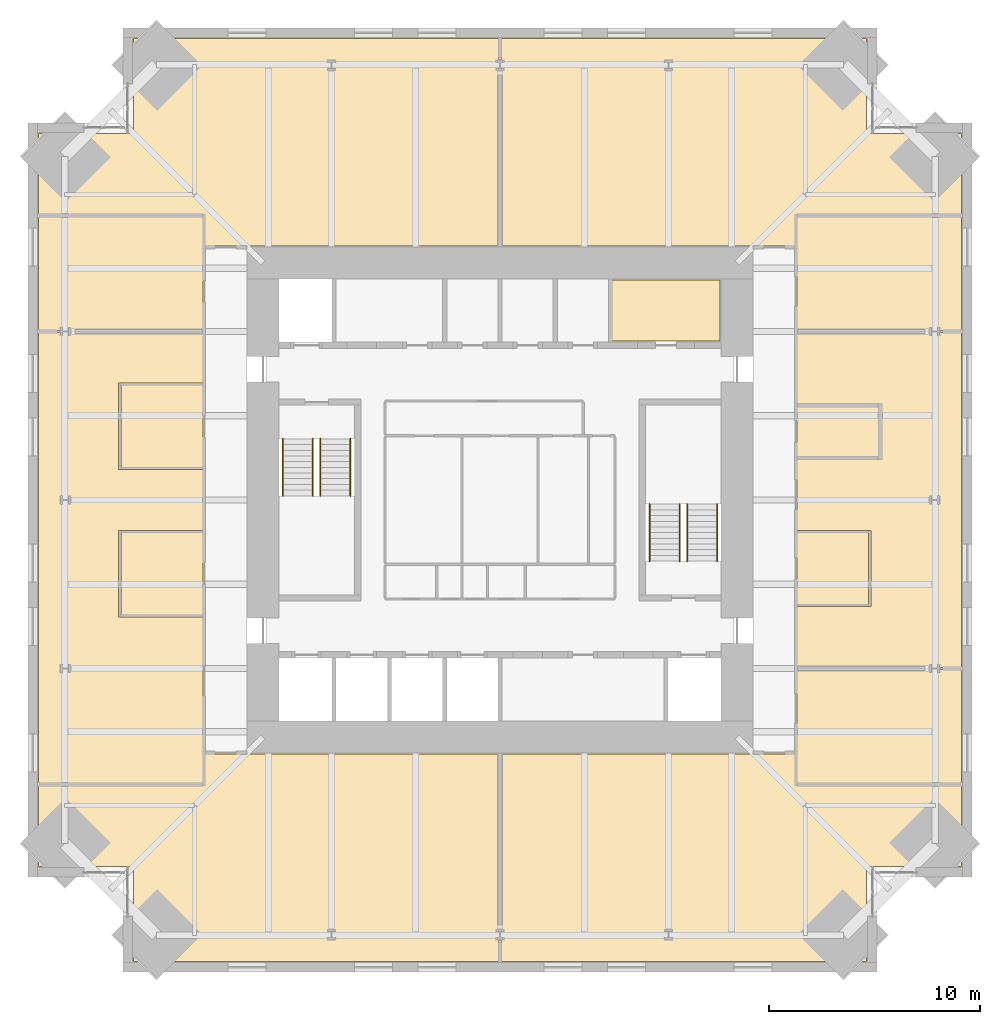
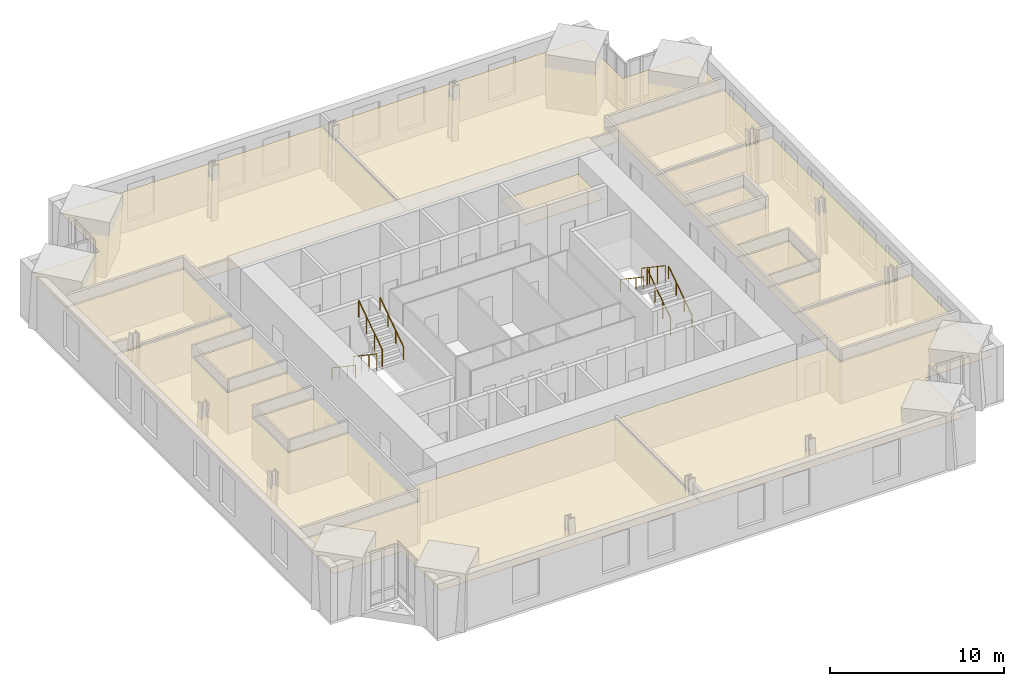
# One storey, part 17 of 17: 14 coverings, 8 railings.
"""IFC4 building model written with IfcOpenShell, lengths in metres."""

from ifc_helpers import new_model, si_unit, direction, frame, origin, origin_2d, place, context, subcontext, project, spatial, polyline, circle, outline, extrude, material, layer, layer_set, type_object, element, save


model = new_model("IFC4")

# Units and contexts
model_context = context("Model", 3, precision=1e-05, world=origin(), true_north=direction((0.0, 1.0)))
body_context = subcontext(model_context, "Body", "Model", "MODEL_VIEW")
ifc_project = project(units=[si_unit("LENGTHUNIT", "METRE"), si_unit("AREAUNIT", "SQUARE_METRE"), si_unit("VOLUMEUNIT", "CUBIC_METRE"), si_unit("PLANEANGLEUNIT", "RADIAN"), si_unit("MASSUNIT", "GRAM", prefix="KILO")], contexts=[model_context])

# Site, building, storey
site_placement = place(None, origin())
site = spatial("IfcSite", under=ifc_project, at=site_placement, CompositionType="ELEMENT")
building_placement = place(site_placement, origin())
building = spatial("IfcBuilding", under=site, at=building_placement, Name="Peilmerk Tower", CompositionType="ELEMENT")
storey_placement = place(building_placement, frame((0.0, 0.0, 253.800048828125)))
storey = spatial("IfcBuildingStorey", under=building, at=storey_placement, Name="L56", CompositionType="ELEMENT", Elevation=253.800048828125)

# Coverings
ifc_material_1 = material(Name="Mineral fibre ceiling tiles", Category="mineral")
ifc_layer = layer(ifc_material_1, 0.02490234375)
ifc_layer_set = layer_set([ifc_layer], Name="Mineral fibre ceiling tiles")
covering_type = type_object("IfcCoveringType", Name="CL1 25 suspended ceiling", PredefinedType="CEILING", material=ifc_layer_set)
covering_1_placement = place(storey_placement, frame((0.0, 0.0, 2.905029296875)))
element("IfcCovering", 1, at=covering_1_placement, inside=storey, type_object=covering_type, Name="Suspended ceiling Tenant suite", PredefinedType="CEILING", context=body_context, shape_type="SweptSolid", body=[
    extrude(outline(polyline([(-21.89990234375, 17.39990234375), (-21.89990234375, 13.550048828125), (-14.0, 13.550048828125), (-14.0, 12.050048828125), (-0.050048828125, 12.050048828125), (-0.050048828125, 21.89990234375), (-17.39990234375, 21.89990234375), (-17.39990234375, 17.39990234375), (-21.89990234375, 17.39990234375)])), origin(), (0.0, 0.0, 1.0), 0.02490234375),
])
covering_2_placement = place(storey_placement, frame((0.0, 0.0, 2.905029296875)))
element("IfcCovering", 2, at=covering_2_placement, inside=storey, type_object=covering_type, Name="Suspended ceiling Tenant suite", PredefinedType="CEILING", context=body_context, shape_type="SweptSolid", body=[
    extrude(outline(polyline([(17.39990234375, 21.89990234375), (0.050048828125, 21.89990234375), (0.050048828125, 12.050048828125), (14.0, 12.050048828125), (14.0, 13.550048828125), (21.89990234375, 13.550048828125), (21.89990234375, 17.39990234375), (17.39990234375, 17.39990234375), (17.39990234375, 21.89990234375)])), origin(), (0.0, 0.0, 1.0), 0.02490234375),
])
covering_3_placement = place(storey_placement, frame((0.0, 0.0, 2.905029296875)))
element("IfcCovering", 3, at=covering_3_placement, inside=storey, type_object=covering_type, Name="Suspended ceiling Tenant suite", PredefinedType="CEILING", context=body_context, shape_type="SweptSolid", body=[
    extrude(outline(polyline([(-17.39990234375, -21.89990234375), (-0.050048828125, -21.89990234375), (-0.050048828125, -12.050048828125), (-14.0, -12.050048828125), (-14.0, -13.550048828125), (-21.89990234375, -13.550048828125), (-21.89990234375, -17.39990234375), (-17.39990234375, -17.39990234375), (-17.39990234375, -21.89990234375)])), origin(), (0.0, 0.0, 1.0), 0.02490234375),
])
covering_4_placement = place(storey_placement, frame((0.0, 0.0, 2.905029296875)))
element("IfcCovering", 4, at=covering_4_placement, inside=storey, type_object=covering_type, Name="Suspended ceiling Tenant suite", PredefinedType="CEILING", context=body_context, shape_type="SweptSolid", body=[
    extrude(outline(polyline([(0.050048828125, -21.89990234375), (17.39990234375, -21.89990234375), (17.39990234375, -17.39990234375), (21.89990234375, -17.39990234375), (21.89990234375, -13.550048828125), (14.0, -13.550048828125), (14.0, -12.050048828125), (0.050048828125, -12.050048828125), (0.050048828125, -21.89990234375)])), origin(), (0.0, 0.0, 1.0), 0.02490234375),
])
covering_5_placement = place(storey_placement, frame((0.0, 0.0, 2.905029296875)))
element("IfcCovering", 5, at=covering_5_placement, inside=storey, type_object=covering_type, Name="Suspended ceiling Tenant suite", PredefinedType="CEILING", context=body_context, shape_type="SweptSolid", body=[
    extrude(outline(polyline([(21.89990234375, -13.449951171875), (21.89990234375, -8.050048828125), (14.10009765625, -8.050048828125), (14.10009765625, -13.449951171875), (21.89990234375, -13.449951171875)])), origin(), (0.0, 0.0, 1.0), 0.02490234375),
])
covering_6_placement = place(storey_placement, frame((0.0, 0.0, 2.905029296875)))
element("IfcCovering", 6, at=covering_6_placement, inside=storey, type_object=covering_type, Name="Suspended ceiling Tenant suite", PredefinedType="CEILING", context=body_context, shape_type="SweptSolid", body=[
    extrude(outline(polyline([(14.10009765625, -7.949951171875), (21.89990234375, -7.949951171875), (21.89990234375, 7.949951171875), (14.10009765625, 7.949951171875), (14.10009765625, 4.550048828125), (18.10009765625, 4.550048828125), (18.10009765625, 1.949951171875), (14.10009765625, 1.949951171875), (14.10009765625, -1.449951171875), (17.60009765625, -1.449951171875), (17.60009765625, -5.050048828125), (14.10009765625, -5.050048828125), (14.10009765625, -7.949951171875)])), origin(), (0.0, 0.0, 1.0), 0.02490234375),
])
covering_7_placement = place(storey_placement, frame((0.0, 0.0, 2.905029296875)))
element("IfcCovering", 7, at=covering_7_placement, inside=storey, type_object=covering_type, Name="Suspended ceiling Tenant suite", PredefinedType="CEILING", context=body_context, shape_type="SweptSolid", body=[
    extrude(outline(polyline([(21.89990234375, 8.050048828125), (21.89990234375, 13.449951171875), (14.10009765625, 13.449951171875), (14.10009765625, 8.050048828125), (21.89990234375, 8.050048828125)])), origin(), (0.0, 0.0, 1.0), 0.02490234375),
])
covering_8_placement = place(storey_placement, frame((0.0, 0.0, 2.905029296875)))
element("IfcCovering", 8, at=covering_8_placement, inside=storey, type_object=covering_type, Name="Suspended ceiling Pantry", PredefinedType="CEILING", context=body_context, shape_type="SweptSolid", body=[
    extrude(outline(polyline([(17.5, -4.949951171875), (17.5, -1.550048828125), (14.10009765625, -1.550048828125), (14.10009765625, -4.949951171875), (17.5, -4.949951171875)])), origin(), (0.0, 0.0, 1.0), 0.02490234375),
])
covering_9_placement = place(storey_placement, frame((0.0, 0.0, 2.905029296875)))
element("IfcCovering", 9, at=covering_9_placement, inside=storey, type_object=covering_type, Name="Suspended ceiling Print room", PredefinedType="CEILING", context=body_context, shape_type="SweptSolid", body=[
    extrude(outline(polyline([(18.0, 2.050048828125), (18.0, 4.449951171875), (14.10009765625, 4.449951171875), (14.10009765625, 2.050048828125), (18.0, 2.050048828125)])), origin(), (0.0, 0.0, 1.0), 0.02490234375),
])
covering_10_placement = place(storey_placement, frame((0.0, 0.0, 2.905029296875)))
element("IfcCovering", 10, at=covering_10_placement, inside=storey, type_object=covering_type, Name="Suspended ceiling Tenant suite", PredefinedType="CEILING", context=body_context, shape_type="SweptSolid", body=[
    extrude(outline(polyline([(-14.10009765625, 7.949951171875), (-21.89990234375, 7.949951171875), (-21.89990234375, -13.449951171875), (-14.10009765625, -13.449951171875), (-14.10009765625, -5.550048828125), (-18.10009765625, -5.550048828125), (-18.10009765625, -1.449951171875), (-14.10009765625, -1.449951171875), (-14.10009765625, 1.449951171875), (-18.10009765625, 1.449951171875), (-18.10009765625, 5.550048828125), (-14.10009765625, 5.550048828125), (-14.10009765625, 7.949951171875)])), origin(), (0.0, 0.0, 1.0), 0.02490234375),
])
covering_11_placement = place(storey_placement, frame((0.0, 0.0, 2.905029296875)))
element("IfcCovering", 11, at=covering_11_placement, inside=storey, type_object=covering_type, Name="Suspended ceiling Office", PredefinedType="CEILING", context=body_context, shape_type="SweptSolid", body=[
    extrude(outline(polyline([(-21.89990234375, 13.449951171875), (-21.89990234375, 8.050048828125), (-14.10009765625, 8.050048828125), (-14.10009765625, 13.449951171875), (-21.89990234375, 13.449951171875)])), origin(), (0.0, 0.0, 1.0), 0.02490234375),
])
covering_12_placement = place(storey_placement, frame((0.0, 0.0, 2.905029296875)))
element("IfcCovering", 12, at=covering_12_placement, inside=storey, type_object=covering_type, Name="Suspended ceiling Meeting room", PredefinedType="CEILING", context=body_context, shape_type="SweptSolid", body=[
    extrude(outline(polyline([(-14.10009765625, -5.449951171875), (-14.10009765625, -1.550048828125), (-18.0, -1.550048828125), (-18.0, -5.449951171875), (-14.10009765625, -5.449951171875)])), origin(), (0.0, 0.0, 1.0), 0.02490234375),
])
covering_13_placement = place(storey_placement, frame((0.0, 0.0, 2.905029296875)))
element("IfcCovering", 13, at=covering_13_placement, inside=storey, type_object=covering_type, Name="Suspended ceiling Meeting room", PredefinedType="CEILING", context=body_context, shape_type="SweptSolid", body=[
    extrude(outline(polyline([(-14.10009765625, 1.550048828125), (-14.10009765625, 5.449951171875), (-18.0, 5.449951171875), (-18.0, 1.550048828125), (-14.10009765625, 1.550048828125)])), origin(), (0.0, 0.0, 1.0), 0.02490234375),
])
covering_14_placement = place(storey_placement, frame((0.0, 0.0, 2.824951171875)))
element("IfcCovering", 14, at=covering_14_placement, inside=storey, type_object=covering_type, Name="Suspended ceiling Pantry", PredefinedType="CEILING", context=body_context, shape_type="SweptSolid", body=[
    extrude(outline(polyline([(10.448974609375, 7.551025390625), (10.448974609375, 10.448974609375), (5.301025390625, 10.448974609375), (5.301025390625, 7.551025390625), (10.448974609375, 7.551025390625)])), origin(), (0.0, 0.0, 1.0), 0.02490234375),
])

# Railings
ifc_material_2 = material(Name="Steel flat bar balustrade", Category="steel")
railing_type_1 = type_object("IfcRailingType", Name="GR1 1200 stair guard", PredefinedType="GUARDRAIL", material=ifc_material_2)
railing_1_placement = place(storey_placement, frame((-8.8798828125, 2.89990234375, 0.181884765625)))
element("IfcRailing", 15, at=railing_1_placement, inside=storey, type_object=railing_type_1, Name="Guard stair 1 L56", PredefinedType="GUARDRAIL", context=body_context, shape_type="SweptSolid", body=[
    extrude(circle(Radius=0.02392578125, at=origin_2d()), frame((0.0, 0.0, 1.17578125), z_axis=(0.0, -0.829468130872, 0.55855404382), x_axis=(1.0, 0.0, 0.0)), (0.0, 0.0, 1.0), 3.255126953125),
    extrude(circle(Radius=0.02099609375, at=origin_2d()), origin(), (0.0, 0.0, 1.0), 1.15185546875),
    extrude(circle(Radius=0.02099609375, at=origin_2d()), frame((0.0, -0.89990234375, 0.60595703125)), (0.0, 0.0, 1.0), 1.15185546875),
    extrude(circle(Radius=0.02099609375, at=origin_2d()), frame((0.0, -1.800048828125, 1.212158203125)), (0.0, 0.0, 1.0), 1.15185546875),
    extrude(circle(Radius=0.02099609375, at=origin_2d()), frame((0.0, -2.699951171875, 1.818115234375)), (0.0, 0.0, 1.0), 1.15185546875),
])
for number, where, name in (
    (16, (-8.52001953125, 0.199951171875, 2.181884765625), "Guard stair 1 L56"),
    (17, (8.8798828125, -2.89990234375, 0.181884765625), "Guard stair 2 L56"),
):
    element("IfcRailing", number, at=place(storey_placement, frame(where)), inside=storey, type_object=railing_type_1, Name=name, PredefinedType="GUARDRAIL", context=body_context, shape_type="SweptSolid", body=[
        extrude(circle(Radius=0.02392578125, at=origin_2d()), frame((0.0, 0.0, 1.17578125), z_axis=(0.0, 0.829468130872, 0.55855404382), x_axis=(-1.0, 0.0, 0.0)), (0.0, 0.0, 1.0), 3.255126953125),
        extrude(circle(Radius=0.02099609375, at=origin_2d()), origin(), (0.0, 0.0, 1.0), 1.15185546875),
        extrude(circle(Radius=0.02099609375, at=origin_2d()), frame((0.0, 0.89990234375, 0.60595703125)), (0.0, 0.0, 1.0), 1.15185546875),
        extrude(circle(Radius=0.02099609375, at=origin_2d()), frame((0.0, 1.800048828125, 1.212158203125)), (0.0, 0.0, 1.0), 1.15185546875),
        extrude(circle(Radius=0.02099609375, at=origin_2d()), frame((0.0, 2.699951171875, 1.818115234375)), (0.0, 0.0, 1.0), 1.15185546875),
    ])
railing_2_placement = place(storey_placement, frame((8.52001953125, -0.199951171875, 2.181884765625)))
element("IfcRailing", 18, at=railing_2_placement, inside=storey, type_object=railing_type_1, Name="Guard stair 2 L56", PredefinedType="GUARDRAIL", context=body_context, shape_type="SweptSolid", body=[
    extrude(circle(Radius=0.02392578125, at=origin_2d()), frame((0.0, 0.0, 1.17578125), z_axis=(0.0, -0.829468130872, 0.55855404382), x_axis=(1.0, 0.0, 0.0)), (0.0, 0.0, 1.0), 3.255126953125),
    extrude(circle(Radius=0.02099609375, at=origin_2d()), origin(), (0.0, 0.0, 1.0), 1.15185546875),
    extrude(circle(Radius=0.02099609375, at=origin_2d()), frame((0.0, -0.89990234375, 0.60595703125)), (0.0, 0.0, 1.0), 1.15185546875),
    extrude(circle(Radius=0.02099609375, at=origin_2d()), frame((0.0, -1.800048828125, 1.212158203125)), (0.0, 0.0, 1.0), 1.15185546875),
    extrude(circle(Radius=0.02099609375, at=origin_2d()), frame((0.0, -2.699951171875, 1.818115234375)), (0.0, 0.0, 1.0), 1.15185546875),
])
ifc_material_3 = material(Name="Stainless steel tube", Category="steel")
railing_type_2 = type_object("IfcRailingType", Name="HR1 900 stair handrail", PredefinedType="HANDRAIL", material=ifc_material_3)
railing_3_placement = place(storey_placement, frame((-10.300048828125, 2.89990234375, 0.181884765625)))
element("IfcRailing", 19, at=railing_3_placement, inside=storey, type_object=railing_type_2, Name="Handrail stair 1 L56", PredefinedType="HANDRAIL", context=body_context, shape_type="SweptSolid", body=[
    extrude(circle(Radius=0.02392578125, at=origin_2d()), frame((0.0, 0.0, 0.8759765625), z_axis=(0.0, -0.829468130872, 0.55855404382), x_axis=(1.0, 0.0, 0.0)), (0.0, 0.0, 1.0), 3.255126953125),
    extrude(circle(Radius=0.02099609375, at=origin_2d()), origin(), (0.0, 0.0, 1.0), 0.851806640625),
    extrude(circle(Radius=0.02099609375, at=origin_2d()), frame((0.0, -0.89990234375, 0.60595703125)), (0.0, 0.0, 1.0), 0.851806640625),
    extrude(circle(Radius=0.02099609375, at=origin_2d()), frame((0.0, -1.800048828125, 1.212158203125)), (0.0, 0.0, 1.0), 0.851806640625),
    extrude(circle(Radius=0.02099609375, at=origin_2d()), frame((0.0, -2.699951171875, 1.818115234375)), (0.0, 0.0, 1.0), 0.851806640625),
])
for number, where, name in (
    (20, (-7.10009765625, 0.199951171875, 2.181884765625), "Handrail stair 1 L56"),
    (21, (10.300048828125, -2.89990234375, 0.181884765625), "Handrail stair 2 L56"),
):
    element("IfcRailing", number, at=place(storey_placement, frame(where)), inside=storey, type_object=railing_type_2, Name=name, PredefinedType="HANDRAIL", context=body_context, shape_type="SweptSolid", body=[
        extrude(circle(Radius=0.02392578125, at=origin_2d()), frame((0.0, 0.0, 0.8759765625), z_axis=(0.0, 0.829468130872, 0.55855404382), x_axis=(-1.0, 0.0, 0.0)), (0.0, 0.0, 1.0), 3.255126953125),
        extrude(circle(Radius=0.02099609375, at=origin_2d()), origin(), (0.0, 0.0, 1.0), 0.851806640625),
        extrude(circle(Radius=0.02099609375, at=origin_2d()), frame((0.0, 0.89990234375, 0.60595703125)), (0.0, 0.0, 1.0), 0.851806640625),
        extrude(circle(Radius=0.02099609375, at=origin_2d()), frame((0.0, 1.800048828125, 1.212158203125)), (0.0, 0.0, 1.0), 0.851806640625),
        extrude(circle(Radius=0.02099609375, at=origin_2d()), frame((0.0, 2.699951171875, 1.818115234375)), (0.0, 0.0, 1.0), 0.851806640625),
    ])
railing_4_placement = place(storey_placement, frame((7.10009765625, -0.199951171875, 2.181884765625)))
element("IfcRailing", 22, at=railing_4_placement, inside=storey, type_object=railing_type_2, Name="Handrail stair 2 L56", PredefinedType="HANDRAIL", context=body_context, shape_type="SweptSolid", body=[
    extrude(circle(Radius=0.02392578125, at=origin_2d()), frame((0.0, 0.0, 0.8759765625), z_axis=(0.0, -0.829468130872, 0.55855404382), x_axis=(1.0, 0.0, 0.0)), (0.0, 0.0, 1.0), 3.255126953125),
    extrude(circle(Radius=0.02099609375, at=origin_2d()), origin(), (0.0, 0.0, 1.0), 0.851806640625),
    extrude(circle(Radius=0.02099609375, at=origin_2d()), frame((0.0, -0.89990234375, 0.60595703125)), (0.0, 0.0, 1.0), 0.851806640625),
    extrude(circle(Radius=0.02099609375, at=origin_2d()), frame((0.0, -1.800048828125, 1.212158203125)), (0.0, 0.0, 1.0), 0.851806640625),
    extrude(circle(Radius=0.02099609375, at=origin_2d()), frame((0.0, -2.699951171875, 1.818115234375)), (0.0, 0.0, 1.0), 0.851806640625),
])

save(model, "model.ifc")
